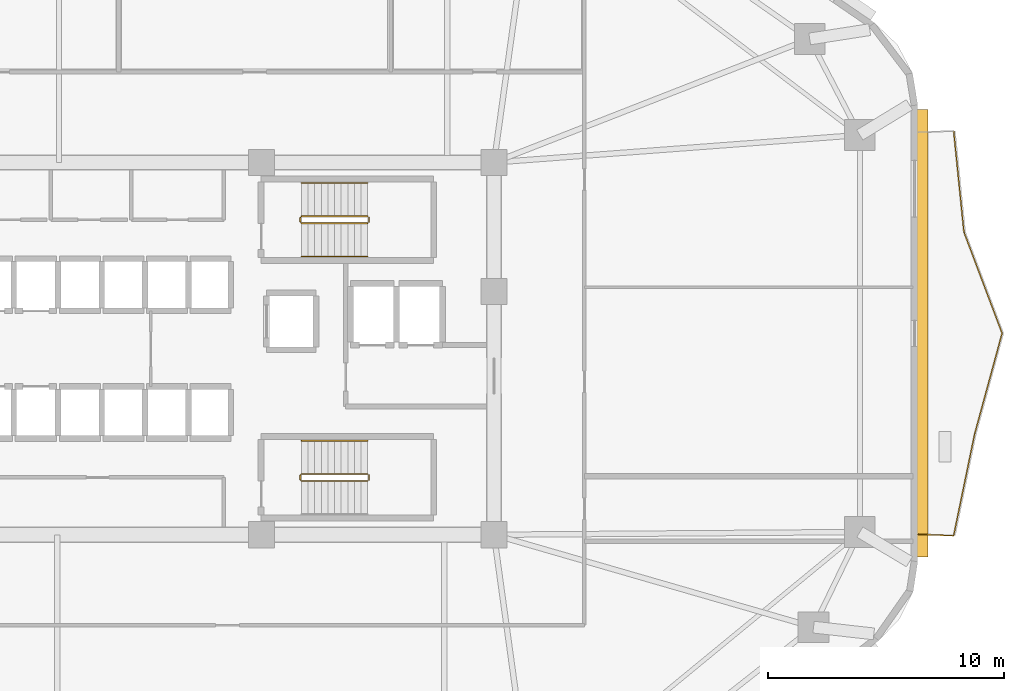
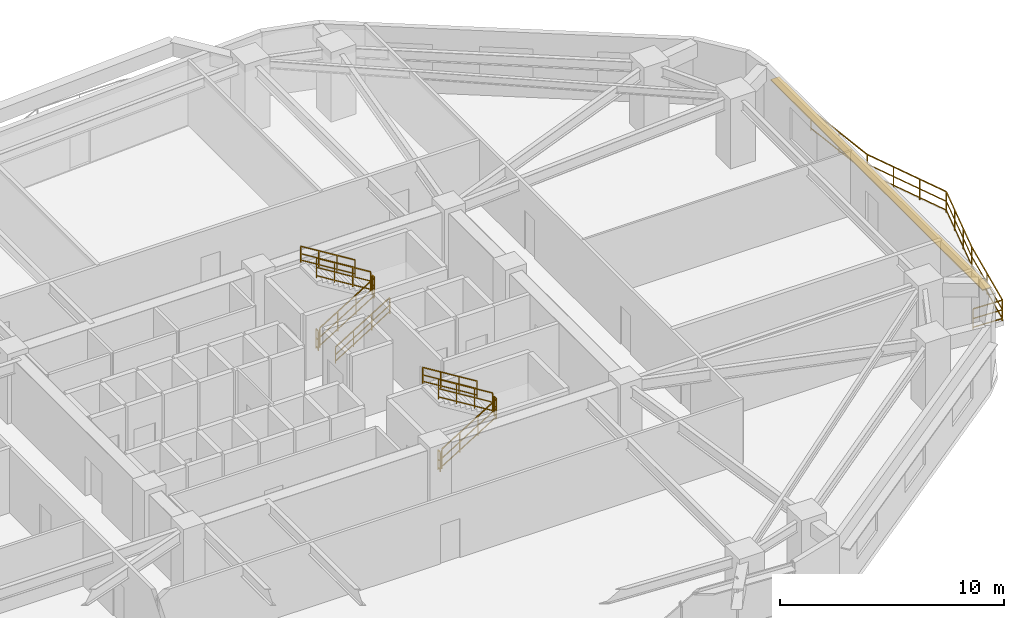
# One storey, part 12 of 13: 16 railings, 1 shading device.
"""IFC4 building model written with IfcOpenShell, lengths in metres."""

from ifc_helpers import new_model, si_unit, direction, frame, origin, origin_2d, place, context, subcontext, project, spatial, rectangle, extrude, material, layer, layer_set, type_object, element, save


model = new_model("IFC4")

# Units and contexts
model_context = context("Model", 3, precision=1e-05, world=origin(), true_north=direction((0.0, 1.0)))
body_context = subcontext(model_context, "Body", "Model", "MODEL_VIEW")
ifc_project = project(units=[si_unit("LENGTHUNIT", "METRE"), si_unit("AREAUNIT", "SQUARE_METRE"), si_unit("VOLUMEUNIT", "CUBIC_METRE"), si_unit("PLANEANGLEUNIT", "RADIAN"), si_unit("MASSUNIT", "GRAM", prefix="KILO")], contexts=[model_context])

# Site, building, storey
site_placement = place(None, origin())
site = spatial("IfcSite", under=ifc_project, at=site_placement, CompositionType="ELEMENT")
building_placement = place(site_placement, origin())
building = spatial("IfcBuilding", under=site, at=building_placement, Name="Zulverin Broadcast Headquarters", CompositionType="ELEMENT")
storey_placement = place(building_placement, frame((0.0, 0.0, 47.800048828125)))
storey = spatial("IfcBuildingStorey", under=building, at=storey_placement, Name="L11", CompositionType="ELEMENT", Elevation=47.800048828125)

# Railings
ifc_material_1 = material(Name="Brushed stainless steel & laminated glass balustrade", Category="steel")
railing_type_1 = type_object("IfcRailingType", Name="RL-GUARD-1150", PredefinedType="GUARDRAIL", material=ifc_material_1)
railing_1_placement = place(storey_placement, frame((66.239990234375, 17.343505859375, 0.0)))
element("IfcRailing", 1, at=railing_1_placement, inside=storey, type_object=railing_type_1, Name="L11 Vertical-Forest Balcony Guardrail BAL_E Segment 01", PredefinedType="GUARDRAIL", context=body_context, shape_type="SweptSolid", body=[
    extrude(rectangle(XDim=0.048095703125, YDim=0.048095703125, at=origin_2d()), frame((0.0, 0.0, 1.1259765625), z_axis=(0.999174410196, -0.040626321628, 0.0), x_axis=(0.040626321628, 0.999174410196, 0.0)), (0.0, 0.0, 1.0), 1.46630859375),
    extrude(rectangle(XDim=0.0419921875, YDim=0.0419921875, at=origin_2d()), frame((0.0, 0.0, 0.597900390625), z_axis=(0.999174410196, -0.040626321628, 0.0), x_axis=(0.040626321628, 0.999174410196, 0.0)), (0.0, 0.0, 1.0), 1.46630859375),
    extrude(rectangle(XDim=0.0419921875, YDim=0.0419921875, at=origin_2d()), frame((0.0, 0.0, 0.1201171875), z_axis=(0.999174410196, -0.040626321628, 0.0), x_axis=(0.040626321628, 0.999174410196, 0.0)), (0.0, 0.0, 1.0), 1.46630859375),
    extrude(rectangle(XDim=0.0419921875, YDim=0.0419921875, at=origin_2d()), origin(), (0.0, 0.0, 1.0), 1.101806640625),
    extrude(rectangle(XDim=0.0419921875, YDim=0.0419921875, at=origin_2d()), frame((1.465087890625, -0.0595703125, 0.0)), (0.0, 0.0, 1.0), 1.101806640625),
])
railing_2_placement = place(storey_placement, frame((67.722900390625, 17.298095703125, 0.0)))
element("IfcRailing", 2, at=railing_2_placement, inside=storey, type_object=railing_type_1, Name="L11 Vertical-Forest Balcony Guardrail BAL_E Segment 02", PredefinedType="GUARDRAIL", context=body_context, shape_type="SweptSolid", body=[
    extrude(rectangle(XDim=0.048095703125, YDim=0.048095703125, at=origin_2d()), frame((0.0, 0.0, 1.1259765625), z_axis=(0.202144590502, 0.979355688466, 0.0), x_axis=(-0.979355688466, 0.202144590502, 0.0)), (0.0, 0.0, 1.0), 4.343017578125),
    extrude(rectangle(XDim=0.0419921875, YDim=0.0419921875, at=origin_2d()), frame((0.0, 0.0, 0.597900390625), z_axis=(0.202144590502, 0.979355688466, 0.0), x_axis=(-0.979355688466, 0.202144590502, 0.0)), (0.0, 0.0, 1.0), 4.343017578125),
    extrude(rectangle(XDim=0.0419921875, YDim=0.0419921875, at=origin_2d()), frame((0.0, 0.0, 0.1201171875), z_axis=(0.202144590502, 0.979355688466, 0.0), x_axis=(-0.979355688466, 0.202144590502, 0.0)), (0.0, 0.0, 1.0), 4.343017578125),
    extrude(rectangle(XDim=0.0419921875, YDim=0.0419921875, at=origin_2d()), origin(), (0.0, 0.0, 1.0), 1.101806640625),
    extrude(rectangle(XDim=0.0419921875, YDim=0.0419921875, at=origin_2d()), frame((0.43896484375, 2.126708984375, 0.0)), (0.0, 0.0, 1.0), 1.101806640625),
    extrude(rectangle(XDim=0.0419921875, YDim=0.0419921875, at=origin_2d()), frame((0.8779296875, 4.25341796875, 0.0)), (0.0, 0.0, 1.0), 1.101806640625),
])
railing_3_placement = place(storey_placement, frame((68.607666015625, 21.580810546875, 0.0)))
element("IfcRailing", 3, at=railing_3_placement, inside=storey, type_object=railing_type_1, Name="L11 Vertical-Forest Balcony Guardrail BAL_E Segment 03", PredefinedType="GUARDRAIL", context=body_context, shape_type="SweptSolid", body=[
    extrude(rectangle(XDim=0.048095703125, YDim=0.048095703125, at=origin_2d()), frame((0.0, 0.0, 1.1259765625), z_axis=(0.262770634648, 0.964858328236, 0.0), x_axis=(-0.964858328236, 0.262770634648, 0.0)), (0.0, 0.0, 1.0), 4.40869140625),
    extrude(rectangle(XDim=0.0419921875, YDim=0.0419921875, at=origin_2d()), frame((0.0, 0.0, 0.597900390625), z_axis=(0.262770634648, 0.964858328236, 0.0), x_axis=(-0.964858328236, 0.262770634648, 0.0)), (0.0, 0.0, 1.0), 4.40869140625),
    extrude(rectangle(XDim=0.0419921875, YDim=0.0419921875, at=origin_2d()), frame((0.0, 0.0, 0.1201171875), z_axis=(0.262770634648, 0.964858328236, 0.0), x_axis=(-0.964858328236, 0.262770634648, 0.0)), (0.0, 0.0, 1.0), 4.40869140625),
    extrude(rectangle(XDim=0.0419921875, YDim=0.0419921875, at=origin_2d()), origin(), (0.0, 0.0, 1.0), 1.101806640625),
    extrude(rectangle(XDim=0.0419921875, YDim=0.0419921875, at=origin_2d()), frame((0.38623046875, 1.41796875, 0.0)), (0.0, 0.0, 1.0), 1.101806640625),
    extrude(rectangle(XDim=0.0419921875, YDim=0.0419921875, at=origin_2d()), frame((0.772216796875, 2.835693359375, 0.0)), (0.0, 0.0, 1.0), 1.101806640625),
    extrude(rectangle(XDim=0.0419921875, YDim=0.0419921875, at=origin_2d()), frame((1.158447265625, 4.253662109375, 0.0)), (0.0, 0.0, 1.0), 1.101806640625),
])
railing_4_placement = place(storey_placement, frame((69.7646484375, 25.86279296875, 0.0)))
element("IfcRailing", 4, at=railing_4_placement, inside=storey, type_object=railing_type_1, Name="L11 Vertical-Forest Balcony Guardrail BAL_E Segment 04", PredefinedType="GUARDRAIL", context=body_context, shape_type="SweptSolid", body=[
    extrude(rectangle(XDim=0.048095703125, YDim=0.048095703125, at=origin_2d()), frame((0.0, 0.0, 1.1259765625), z_axis=(-0.352934886411, 0.935647885667, 0.0), x_axis=(-0.935647885667, -0.352934886411, 0.0)), (0.0, 0.0, 1.0), 4.547607421875),
    extrude(rectangle(XDim=0.0419921875, YDim=0.0419921875, at=origin_2d()), frame((0.0, 0.0, 0.597900390625), z_axis=(-0.352934886411, 0.935647885667, 0.0), x_axis=(-0.935647885667, -0.352934886411, 0.0)), (0.0, 0.0, 1.0), 4.547607421875),
    extrude(rectangle(XDim=0.0419921875, YDim=0.0419921875, at=origin_2d()), frame((0.0, 0.0, 0.1201171875), z_axis=(-0.352934886411, 0.935647885667, 0.0), x_axis=(-0.935647885667, -0.352934886411, 0.0)), (0.0, 0.0, 1.0), 4.547607421875),
    extrude(rectangle(XDim=0.0419921875, YDim=0.0419921875, at=origin_2d()), origin(), (0.0, 0.0, 1.0), 1.101806640625),
    extrude(rectangle(XDim=0.0419921875, YDim=0.0419921875, at=origin_2d()), frame((-0.534912109375, 1.418212890625, 0.0)), (0.0, 0.0, 1.0), 1.101806640625),
    extrude(rectangle(XDim=0.0419921875, YDim=0.0419921875, at=origin_2d()), frame((-1.070068359375, 2.836669921875, 0.0)), (0.0, 0.0, 1.0), 1.101806640625),
    extrude(rectangle(XDim=0.0419921875, YDim=0.0419921875, at=origin_2d()), frame((-1.60498046875, 4.2548828125, 0.0)), (0.0, 0.0, 1.0), 1.101806640625),
])
railing_5_placement = place(storey_placement, frame((68.15283203125, 30.146484375, 0.0)))
element("IfcRailing", 5, at=railing_5_placement, inside=storey, type_object=railing_type_1, Name="L11 Vertical-Forest Balcony Guardrail BAL_E Segment 05", PredefinedType="GUARDRAIL", context=body_context, shape_type="SweptSolid", body=[
    extrude(rectangle(XDim=0.048095703125, YDim=0.048095703125, at=origin_2d()), frame((0.0, 0.0, 1.1259765625), z_axis=(-0.100911553474, 0.994895400721, 0.0), x_axis=(-0.994895400721, -0.100911553474, 0.0)), (0.0, 0.0, 1.0), 4.27490234375),
    extrude(rectangle(XDim=0.0419921875, YDim=0.0419921875, at=origin_2d()), frame((0.0, 0.0, 0.597900390625), z_axis=(-0.100911553474, 0.994895400721, 0.0), x_axis=(-0.994895400721, -0.100911553474, 0.0)), (0.0, 0.0, 1.0), 4.27490234375),
    extrude(rectangle(XDim=0.0419921875, YDim=0.0419921875, at=origin_2d()), frame((0.0, 0.0, 0.1201171875), z_axis=(-0.100911553474, 0.994895400721, 0.0), x_axis=(-0.994895400721, -0.100911553474, 0.0)), (0.0, 0.0, 1.0), 4.27490234375),
    extrude(rectangle(XDim=0.0419921875, YDim=0.0419921875, at=origin_2d()), origin(), (0.0, 0.0, 1.0), 1.101806640625),
    extrude(rectangle(XDim=0.0419921875, YDim=0.0419921875, at=origin_2d()), frame((-0.2158203125, 2.12646484375, 0.0)), (0.0, 0.0, 1.0), 1.101806640625),
    extrude(rectangle(XDim=0.0419921875, YDim=0.0419921875, at=origin_2d()), frame((-0.431396484375, 4.253173828125, 0.0)), (0.0, 0.0, 1.0), 1.101806640625),
])
ifc_material_2 = material(Name="Painted galvanized steel tubular guardrail S355JR", Category="steel")
railing_type_2 = type_object("IfcRailingType", Name="RL-ST-GUARD", PredefinedType="GUARDRAIL", material=ifc_material_2)
railing_6_placement = place(storey_placement, frame((40.1298828125, 30.5, 0.172607421875)))
element("IfcRailing", 6, at=railing_6_placement, inside=storey, type_object=railing_type_2, Name="L11 ST-1 stair guard 1", PredefinedType="GUARDRAIL", context=body_context, shape_type="SweptSolid", body=[
    extrude(rectangle(XDim=0.048095703125, YDim=0.048095703125, at=origin_2d()), frame((0.0, 0.0, 1.076171875), z_axis=(0.851089632645, 0.0, 0.525020415988), x_axis=(0.0, 1.0, 0.0)), (0.0, 0.0, 1.0), 3.2900390625),
    extrude(rectangle(XDim=0.0419921875, YDim=0.0419921875, at=origin_2d()), frame((0.0, 0.0, 0.572021484375), z_axis=(0.851089632645, 0.0, 0.525020415988), x_axis=(0.0, 1.0, 0.0)), (0.0, 0.0, 1.0), 3.2900390625),
    extrude(rectangle(XDim=0.0419921875, YDim=0.0419921875, at=origin_2d()), frame((0.0, 0.0, 0.1201171875), z_axis=(0.851089632645, 0.0, 0.525020415988), x_axis=(0.0, 1.0, 0.0)), (0.0, 0.0, 1.0), 3.2900390625),
    extrude(rectangle(XDim=0.0419921875, YDim=0.0419921875, at=origin_2d()), origin(), (0.0, 0.0, 1.0), 1.052001953125),
    extrude(rectangle(XDim=0.0419921875, YDim=0.0419921875, at=origin_2d()), frame((0.933349609375, 0.0, 0.57568359375)), (0.0, 0.0, 1.0), 1.052001953125),
    extrude(rectangle(XDim=0.0419921875, YDim=0.0419921875, at=origin_2d()), frame((1.86669921875, 0.0, 1.151611328125)), (0.0, 0.0, 1.0), 1.052001953125),
    extrude(rectangle(XDim=0.0419921875, YDim=0.0419921875, at=origin_2d()), frame((2.800048828125, 0.0, 1.727294921875)), (0.0, 0.0, 1.0), 1.052001953125),
])
railing_7_placement = place(storey_placement, frame((42.97998046875, 30.550048828125, 1.89990234375)))
element("IfcRailing", 7, at=railing_7_placement, inside=storey, type_object=railing_type_2, Name="L11 ST-1 stair guard 2", PredefinedType="GUARDRAIL", context=body_context, shape_type="SweptSolid", body=[
    extrude(rectangle(XDim=0.048095703125, YDim=0.048095703125, at=origin_2d()), frame((0.0, 0.0, 1.076171875), z_axis=(0.0, 1.0, 0.0), x_axis=(-1.0, 0.0, 0.0)), (0.0, 0.0, 1.0), 0.199951171875),
    extrude(rectangle(XDim=0.0419921875, YDim=0.0419921875, at=origin_2d()), frame((0.0, 0.0, 0.572021484375), z_axis=(0.0, 1.0, 0.0), x_axis=(-1.0, 0.0, 0.0)), (0.0, 0.0, 1.0), 0.199951171875),
    extrude(rectangle(XDim=0.0419921875, YDim=0.0419921875, at=origin_2d()), frame((0.0, 0.0, 0.1201171875), z_axis=(0.0, 1.0, 0.0), x_axis=(-1.0, 0.0, 0.0)), (0.0, 0.0, 1.0), 0.199951171875),
    extrude(rectangle(XDim=0.0419921875, YDim=0.0419921875, at=origin_2d()), origin(), (0.0, 0.0, 1.0), 1.052001953125),
    extrude(rectangle(XDim=0.0419921875, YDim=0.0419921875, at=origin_2d()), frame((0.0, 0.199951171875, 0.0)), (0.0, 0.0, 1.0), 1.052001953125),
])
railing_8_placement = place(storey_placement, frame((42.929931640625, 30.800048828125, 2.07275390625)))
element("IfcRailing", 8, at=railing_8_placement, inside=storey, type_object=railing_type_2, Name="L11 ST-1 stair guard 3", PredefinedType="GUARDRAIL", context=body_context, shape_type="SweptSolid", body=[
    extrude(rectangle(XDim=0.048095703125, YDim=0.048095703125, at=origin_2d()), frame((0.0, 0.0, 1.076171875), z_axis=(-0.851089632645, 0.0, 0.525020415988), x_axis=(0.0, -1.0, 0.0)), (0.0, 0.0, 1.0), 3.2900390625),
    extrude(rectangle(XDim=0.0419921875, YDim=0.0419921875, at=origin_2d()), frame((0.0, 0.0, 0.572021484375), z_axis=(-0.851089632645, 0.0, 0.525020415988), x_axis=(0.0, -1.0, 0.0)), (0.0, 0.0, 1.0), 3.2900390625),
    extrude(rectangle(XDim=0.0419921875, YDim=0.0419921875, at=origin_2d()), frame((0.0, 0.0, 0.1201171875), z_axis=(-0.851089632645, 0.0, 0.525020415988), x_axis=(0.0, -1.0, 0.0)), (0.0, 0.0, 1.0), 3.2900390625),
    extrude(rectangle(XDim=0.0419921875, YDim=0.0419921875, at=origin_2d()), origin(), (0.0, 0.0, 1.0), 1.052001953125),
    extrude(rectangle(XDim=0.0419921875, YDim=0.0419921875, at=origin_2d()), frame((-0.933349609375, 0.0, 0.57568359375)), (0.0, 0.0, 1.0), 1.052001953125),
    extrude(rectangle(XDim=0.0419921875, YDim=0.0419921875, at=origin_2d()), frame((-1.86669921875, 0.0, 1.151611328125)), (0.0, 0.0, 1.0), 1.052001953125),
    extrude(rectangle(XDim=0.0419921875, YDim=0.0419921875, at=origin_2d()), frame((-2.800048828125, 0.0, 1.727294921875)), (0.0, 0.0, 1.0), 1.052001953125),
])
railing_9_placement = place(storey_placement, frame((40.080078125, 30.550048828125, 0.0)))
element("IfcRailing", 9, at=railing_9_placement, inside=storey, type_object=railing_type_2, Name="L11 ST-1 stair guard 4", PredefinedType="GUARDRAIL", context=body_context, shape_type="SweptSolid", body=[
    extrude(rectangle(XDim=0.048095703125, YDim=0.048095703125, at=origin_2d()), frame((0.0, 0.0, 1.076171875), z_axis=(0.0, 1.0, 0.0), x_axis=(-1.0, 0.0, 0.0)), (0.0, 0.0, 1.0), 0.199951171875),
    extrude(rectangle(XDim=0.0419921875, YDim=0.0419921875, at=origin_2d()), frame((0.0, 0.0, 0.572021484375), z_axis=(0.0, 1.0, 0.0), x_axis=(-1.0, 0.0, 0.0)), (0.0, 0.0, 1.0), 0.199951171875),
    extrude(rectangle(XDim=0.0419921875, YDim=0.0419921875, at=origin_2d()), frame((0.0, 0.0, 0.1201171875), z_axis=(0.0, 1.0, 0.0), x_axis=(-1.0, 0.0, 0.0)), (0.0, 0.0, 1.0), 0.199951171875),
    extrude(rectangle(XDim=0.0419921875, YDim=0.0419921875, at=origin_2d()), origin(), (0.0, 0.0, 1.0), 1.052001953125),
    extrude(rectangle(XDim=0.0419921875, YDim=0.0419921875, at=origin_2d()), frame((0.0, 0.199951171875, 0.0)), (0.0, 0.0, 1.0), 1.052001953125),
])
railing_10_placement = place(storey_placement, frame((40.1298828125, 19.60009765625, 0.172607421875)))
element("IfcRailing", 10, at=railing_10_placement, inside=storey, type_object=railing_type_2, Name="L11 ST-2 stair guard 1", PredefinedType="GUARDRAIL", context=body_context, shape_type="SweptSolid", body=[
    extrude(rectangle(XDim=0.048095703125, YDim=0.048095703125, at=origin_2d()), frame((0.0, 0.0, 1.076171875), z_axis=(0.851089632645, 0.0, 0.525020415988), x_axis=(0.0, 1.0, 0.0)), (0.0, 0.0, 1.0), 3.2900390625),
    extrude(rectangle(XDim=0.0419921875, YDim=0.0419921875, at=origin_2d()), frame((0.0, 0.0, 0.572021484375), z_axis=(0.851089632645, 0.0, 0.525020415988), x_axis=(0.0, 1.0, 0.0)), (0.0, 0.0, 1.0), 3.2900390625),
    extrude(rectangle(XDim=0.0419921875, YDim=0.0419921875, at=origin_2d()), frame((0.0, 0.0, 0.1201171875), z_axis=(0.851089632645, 0.0, 0.525020415988), x_axis=(0.0, 1.0, 0.0)), (0.0, 0.0, 1.0), 3.2900390625),
    extrude(rectangle(XDim=0.0419921875, YDim=0.0419921875, at=origin_2d()), origin(), (0.0, 0.0, 1.0), 1.052001953125),
    extrude(rectangle(XDim=0.0419921875, YDim=0.0419921875, at=origin_2d()), frame((0.933349609375, 0.0, 0.57568359375)), (0.0, 0.0, 1.0), 1.052001953125),
    extrude(rectangle(XDim=0.0419921875, YDim=0.0419921875, at=origin_2d()), frame((1.86669921875, 0.0, 1.151611328125)), (0.0, 0.0, 1.0), 1.052001953125),
    extrude(rectangle(XDim=0.0419921875, YDim=0.0419921875, at=origin_2d()), frame((2.800048828125, 0.0, 1.727294921875)), (0.0, 0.0, 1.0), 1.052001953125),
])
railing_11_placement = place(storey_placement, frame((42.97998046875, 19.64990234375, 1.89990234375)))
element("IfcRailing", 11, at=railing_11_placement, inside=storey, type_object=railing_type_2, Name="L11 ST-2 stair guard 2", PredefinedType="GUARDRAIL", context=body_context, shape_type="SweptSolid", body=[
    extrude(rectangle(XDim=0.048095703125, YDim=0.048095703125, at=origin_2d()), frame((0.0, 0.0, 1.076171875), z_axis=(0.0, 1.0, 0.0), x_axis=(-1.0, 0.0, 0.0)), (0.0, 0.0, 1.0), 0.2001953125),
    extrude(rectangle(XDim=0.0419921875, YDim=0.0419921875, at=origin_2d()), frame((0.0, 0.0, 0.572021484375), z_axis=(0.0, 1.0, 0.0), x_axis=(-1.0, 0.0, 0.0)), (0.0, 0.0, 1.0), 0.2001953125),
    extrude(rectangle(XDim=0.0419921875, YDim=0.0419921875, at=origin_2d()), frame((0.0, 0.0, 0.1201171875), z_axis=(0.0, 1.0, 0.0), x_axis=(-1.0, 0.0, 0.0)), (0.0, 0.0, 1.0), 0.2001953125),
    extrude(rectangle(XDim=0.0419921875, YDim=0.0419921875, at=origin_2d()), origin(), (0.0, 0.0, 1.0), 1.052001953125),
    extrude(rectangle(XDim=0.0419921875, YDim=0.0419921875, at=origin_2d()), frame((0.0, 0.2001953125, 0.0)), (0.0, 0.0, 1.0), 1.052001953125),
])
railing_12_placement = place(storey_placement, frame((42.929931640625, 19.89990234375, 2.07275390625)))
element("IfcRailing", 12, at=railing_12_placement, inside=storey, type_object=railing_type_2, Name="L11 ST-2 stair guard 3", PredefinedType="GUARDRAIL", context=body_context, shape_type="SweptSolid", body=[
    extrude(rectangle(XDim=0.048095703125, YDim=0.048095703125, at=origin_2d()), frame((0.0, 0.0, 1.076171875), z_axis=(-0.851089632645, 0.0, 0.525020415988), x_axis=(0.0, -1.0, 0.0)), (0.0, 0.0, 1.0), 3.2900390625),
    extrude(rectangle(XDim=0.0419921875, YDim=0.0419921875, at=origin_2d()), frame((0.0, 0.0, 0.572021484375), z_axis=(-0.851089632645, 0.0, 0.525020415988), x_axis=(0.0, -1.0, 0.0)), (0.0, 0.0, 1.0), 3.2900390625),
    extrude(rectangle(XDim=0.0419921875, YDim=0.0419921875, at=origin_2d()), frame((0.0, 0.0, 0.1201171875), z_axis=(-0.851089632645, 0.0, 0.525020415988), x_axis=(0.0, -1.0, 0.0)), (0.0, 0.0, 1.0), 3.2900390625),
    extrude(rectangle(XDim=0.0419921875, YDim=0.0419921875, at=origin_2d()), origin(), (0.0, 0.0, 1.0), 1.052001953125),
    extrude(rectangle(XDim=0.0419921875, YDim=0.0419921875, at=origin_2d()), frame((-0.933349609375, 0.0, 0.57568359375)), (0.0, 0.0, 1.0), 1.052001953125),
    extrude(rectangle(XDim=0.0419921875, YDim=0.0419921875, at=origin_2d()), frame((-1.86669921875, 0.0, 1.151611328125)), (0.0, 0.0, 1.0), 1.052001953125),
    extrude(rectangle(XDim=0.0419921875, YDim=0.0419921875, at=origin_2d()), frame((-2.800048828125, 0.0, 1.727294921875)), (0.0, 0.0, 1.0), 1.052001953125),
])
railing_13_placement = place(storey_placement, frame((40.080078125, 19.64990234375, 0.0)))
element("IfcRailing", 13, at=railing_13_placement, inside=storey, type_object=railing_type_2, Name="L11 ST-2 stair guard 4", PredefinedType="GUARDRAIL", context=body_context, shape_type="SweptSolid", body=[
    extrude(rectangle(XDim=0.048095703125, YDim=0.048095703125, at=origin_2d()), frame((0.0, 0.0, 1.076171875), z_axis=(0.0, 1.0, 0.0), x_axis=(-1.0, 0.0, 0.0)), (0.0, 0.0, 1.0), 0.2001953125),
    extrude(rectangle(XDim=0.0419921875, YDim=0.0419921875, at=origin_2d()), frame((0.0, 0.0, 0.572021484375), z_axis=(0.0, 1.0, 0.0), x_axis=(-1.0, 0.0, 0.0)), (0.0, 0.0, 1.0), 0.2001953125),
    extrude(rectangle(XDim=0.0419921875, YDim=0.0419921875, at=origin_2d()), frame((0.0, 0.0, 0.1201171875), z_axis=(0.0, 1.0, 0.0), x_axis=(-1.0, 0.0, 0.0)), (0.0, 0.0, 1.0), 0.2001953125),
    extrude(rectangle(XDim=0.0419921875, YDim=0.0419921875, at=origin_2d()), origin(), (0.0, 0.0, 1.0), 1.052001953125),
    extrude(rectangle(XDim=0.0419921875, YDim=0.0419921875, at=origin_2d()), frame((0.0, 0.2001953125, 0.0)), (0.0, 0.0, 1.0), 1.052001953125),
])
ifc_material_3 = material(Name="Brushed stainless steel 48 mm handrail", Category="steel")
railing_type_3 = type_object("IfcRailingType", Name="RL-ST-HAND", PredefinedType="HANDRAIL", material=ifc_material_3)
railing_14_placement = place(storey_placement, frame((40.1298828125, 29.10009765625, 0.172607421875)))
element("IfcRailing", 14, at=railing_14_placement, inside=storey, type_object=railing_type_3, Name="L11 ST-1 stair handrail 1", PredefinedType="HANDRAIL", context=body_context, shape_type="SweptSolid", body=[
    extrude(rectangle(XDim=0.048095703125, YDim=0.048095703125, at=origin_2d()), frame((0.0, 0.0, 0.8759765625), z_axis=(0.851089632645, 0.0, 0.525020415988), x_axis=(0.0, 1.0, 0.0)), (0.0, 0.0, 1.0), 3.2900390625),
    extrude(rectangle(XDim=0.0419921875, YDim=0.0419921875, at=origin_2d()), frame((0.0, 0.0, 0.468017578125), z_axis=(0.851089632645, 0.0, 0.525020415988), x_axis=(0.0, 1.0, 0.0)), (0.0, 0.0, 1.0), 3.2900390625),
    extrude(rectangle(XDim=0.0419921875, YDim=0.0419921875, at=origin_2d()), frame((0.0, 0.0, 0.1201171875), z_axis=(0.851089632645, 0.0, 0.525020415988), x_axis=(0.0, 1.0, 0.0)), (0.0, 0.0, 1.0), 3.2900390625),
    extrude(rectangle(XDim=0.0419921875, YDim=0.0419921875, at=origin_2d()), origin(), (0.0, 0.0, 1.0), 0.851806640625),
    extrude(rectangle(XDim=0.0419921875, YDim=0.0419921875, at=origin_2d()), frame((0.933349609375, 0.0, 0.57568359375)), (0.0, 0.0, 1.0), 0.851806640625),
    extrude(rectangle(XDim=0.0419921875, YDim=0.0419921875, at=origin_2d()), frame((1.86669921875, 0.0, 1.151611328125)), (0.0, 0.0, 1.0), 0.851806640625),
    extrude(rectangle(XDim=0.0419921875, YDim=0.0419921875, at=origin_2d()), frame((2.800048828125, 0.0, 1.727294921875)), (0.0, 0.0, 1.0), 0.851806640625),
])
for number, where, name in (
    (15, (42.929931640625, 32.199951171875, 2.07275390625), "L11 ST-1 stair handrail 2"),
    (16, (42.929931640625, 21.300048828125, 2.07275390625), "L11 ST-2 stair handrail 2"),
):
    element("IfcRailing", number, at=place(storey_placement, frame(where)), inside=storey, type_object=railing_type_3, Name=name, PredefinedType="HANDRAIL", context=body_context, shape_type="SweptSolid", body=[
        extrude(rectangle(XDim=0.048095703125, YDim=0.048095703125, at=origin_2d()), frame((0.0, 0.0, 0.8759765625), z_axis=(-0.851089632645, 0.0, 0.525020415988), x_axis=(0.0, -1.0, 0.0)), (0.0, 0.0, 1.0), 3.2900390625),
        extrude(rectangle(XDim=0.0419921875, YDim=0.0419921875, at=origin_2d()), frame((0.0, 0.0, 0.468017578125), z_axis=(-0.851089632645, 0.0, 0.525020415988), x_axis=(0.0, -1.0, 0.0)), (0.0, 0.0, 1.0), 3.2900390625),
        extrude(rectangle(XDim=0.0419921875, YDim=0.0419921875, at=origin_2d()), frame((0.0, 0.0, 0.1201171875), z_axis=(-0.851089632645, 0.0, 0.525020415988), x_axis=(0.0, -1.0, 0.0)), (0.0, 0.0, 1.0), 3.2900390625),
        extrude(rectangle(XDim=0.0419921875, YDim=0.0419921875, at=origin_2d()), origin(), (0.0, 0.0, 1.0), 0.851806640625),
        extrude(rectangle(XDim=0.0419921875, YDim=0.0419921875, at=origin_2d()), frame((-0.933349609375, 0.0, 0.57568359375)), (0.0, 0.0, 1.0), 0.851806640625),
        extrude(rectangle(XDim=0.0419921875, YDim=0.0419921875, at=origin_2d()), frame((-1.86669921875, 0.0, 1.151611328125)), (0.0, 0.0, 1.0), 0.851806640625),
        extrude(rectangle(XDim=0.0419921875, YDim=0.0419921875, at=origin_2d()), frame((-2.800048828125, 0.0, 1.727294921875)), (0.0, 0.0, 1.0), 0.851806640625),
    ])

# Shading device
ifc_material_4 = material(Name="Anodized pale-metal aluminium sunshade", Category="aluminium")
ifc_layer = layer(ifc_material_4, 0.06005859375, Name="Anodized pale-metal aluminium sunshade", Category="aluminium")
ifc_layer_set = layer_set([ifc_layer], Name="Anodized pale-metal aluminium sunshade")
shading_device_type = type_object("IfcShadingDeviceType", Name="SS-01_PALE_METAL_ALUMINIUM_SUNSHADE", PredefinedType="USERDEFINED", material=ifc_layer_set)
shading_device_placement = place(storey_placement, frame((66.39990234375, 25.848876953125, 2.7099609375), z_axis=(0.0, 0.0, 1.0), x_axis=(0.0, 1.0, 0.0)))
element("IfcShadingDevice", 17, at=shading_device_placement, inside=storey, type_object=shading_device_type, Name="L11 Horizontal Pale-Metal Sunshade Band 3", ObjectType="SUNSHADE", PredefinedType="USERDEFINED", context=body_context, shape_type="SweptSolid", body=[
    extrude(rectangle(XDim=18.93115234375, YDim=0.449951171875, at=origin_2d()), origin(), (0.0, 0.0, 1.0), 0.06005859375),
])

save(model, "model.ifc")
